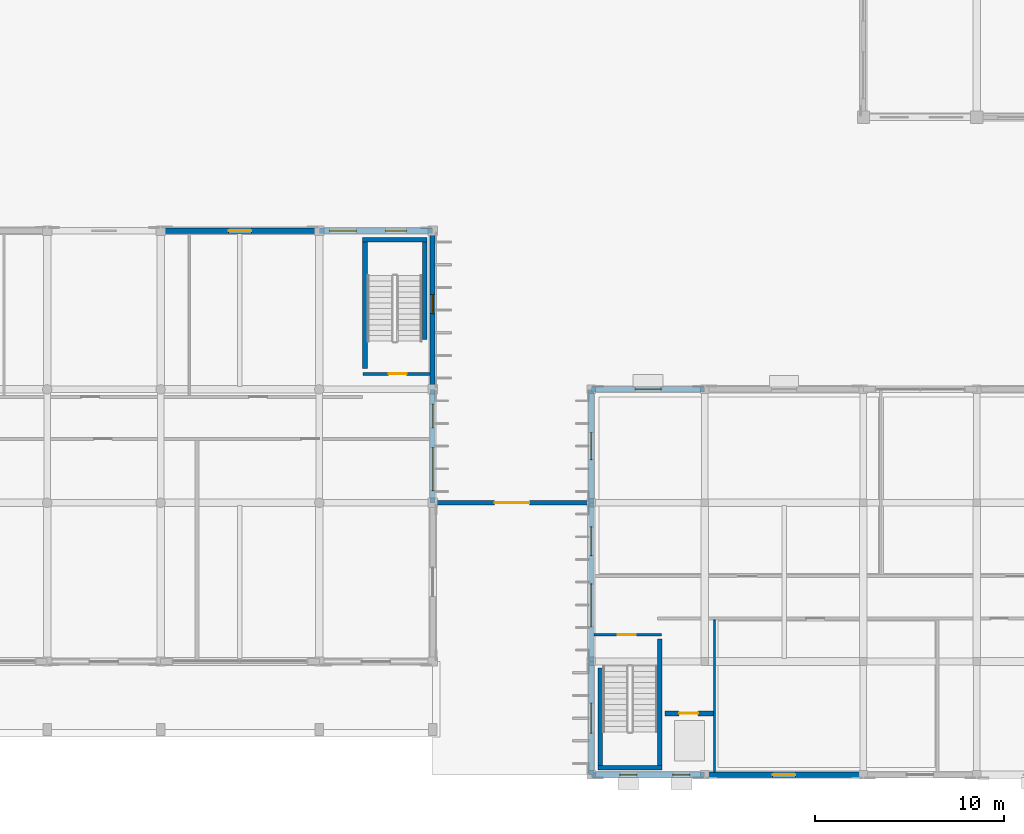
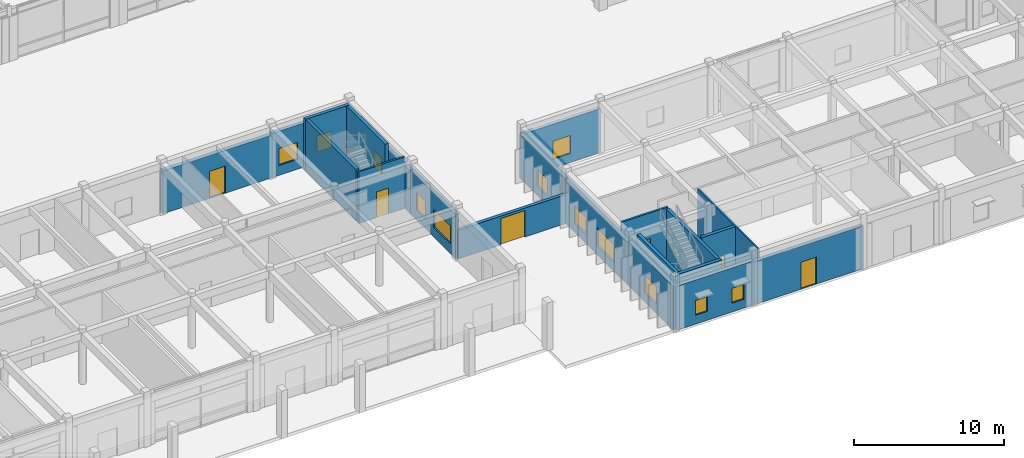
# One storey, part 32 of 67: 21 walls, 12 windows, 6 doors, 18 openings.
"""IFC4 building model written with IfcOpenShell, lengths in metres."""

from ifc_helpers import new_model, si_unit, direction, frame, frame_2d, origin, place, context, subcontext, project, spatial, rectangle, extrude, material, layer, layer_set, type_object, element, fill, save


model = new_model("IFC4")

# Units and contexts
model_context = context("Model", 3, precision=1e-05, world=origin(), true_north=direction((0.0, 1.0)))
body_context = subcontext(model_context, "Body", "Model", "MODEL_VIEW")
ifc_project = project(units=[si_unit("LENGTHUNIT", "METRE"), si_unit("AREAUNIT", "SQUARE_METRE"), si_unit("VOLUMEUNIT", "CUBIC_METRE"), si_unit("PLANEANGLEUNIT", "RADIAN"), si_unit("MASSUNIT", "GRAM", prefix="KILO"), si_unit("THERMODYNAMICTEMPERATUREUNIT", "KELVIN")], contexts=[model_context])

# Site, building, storey
site_placement = place(None, origin())
site = spatial("IfcSite", under=ifc_project, at=site_placement, CompositionType="ELEMENT")
building_placement = place(site_placement, origin())
building = spatial("IfcBuilding", under=site, at=building_placement, Name="Thalorik Housing Commons", CompositionType="ELEMENT")
storey_placement = place(building_placement, origin())
storey = spatial("IfcBuildingStorey", under=building, at=storey_placement, Name="L00", CompositionType="ELEMENT", Elevation=0.0)

# Walls
ifc_material_1 = material(Name="Concrete C40/50", Category="concrete")
ifc_layer_1 = layer(ifc_material_1, 0.25, Name="Concrete C40/50", Category="concrete")
ifc_layer_set_1 = layer_set([ifc_layer_1], Name="Concrete C40/50")
wall_type_1 = type_object("IfcWallType", Name="ARC-WAL-CORE-250", PredefinedType="SHEAR", material=ifc_layer_set_1)
wall_1_placement = place(storey_placement, frame((124.074951171875, 14.050048828125, 0.0), z_axis=(0.0, 0.0, 1.0), x_axis=(0.0, -1.0, 0.0)))
element("IfcWall", 1, at=wall_1_placement, inside=storey, type_object=wall_type_1, Name="L00 Stair ST-N1 Structural Support Wall L", PredefinedType="SHEAR", context=body_context, shape_type="SweptSolid", body=[
    extrude(rectangle(XDim=5.150146484375, YDim=0.25, at=frame_2d((2.5751953125, 0.0))), origin(), (0.0, 0.0, 1.0), 4.199951171875),
])
wall_2_placement = place(storey_placement, frame((127.22509765625, 15.60009765625, 0.0), z_axis=(0.0, 0.0, 1.0), x_axis=(0.0, -1.0, 0.0)))
element("IfcWall", 2, at=wall_2_placement, inside=storey, type_object=wall_type_1, Name="L00 Stair ST-N1 Structural Support Wall R", PredefinedType="SHEAR", context=body_context, shape_type="SweptSolid", body=[
    extrude(rectangle(XDim=6.7001953125, YDim=0.25, at=frame_2d((3.35009765625, 0.0))), origin(), (0.0, 0.0, 1.0), 4.199951171875),
])
wall_3_placement = place(storey_placement, frame((123.949951171875, 8.77490234375, 0.0), z_axis=(0.0, 0.0, 1.0), x_axis=(1.0, 0.0, 0.0)))
element("IfcWall", 3, at=wall_3_placement, inside=storey, type_object=wall_type_1, Name="L00 Stair ST-N1 Structural Support Wall F", PredefinedType="SHEAR", context=body_context, shape_type="SweptSolid", body=[
    extrude(rectangle(XDim=3.400146484375, YDim=0.25, at=frame_2d((1.7001953125, 0.0))), origin(), (0.0, 0.0, 1.0), 4.199951171875),
])
wall_4_placement = place(storey_placement, frame((114.77490234375, 31.449951171875, 0.0), z_axis=(0.0, 0.0, 1.0), x_axis=(0.0, 1.0, 0.0)))
element("IfcWall", 4, at=wall_4_placement, inside=storey, type_object=wall_type_1, Name="L00 Stair ST-S2 Structural Support Wall L", PredefinedType="SHEAR", context=body_context, shape_type="SweptSolid", body=[
    extrude(rectangle(XDim=5.150146484375, YDim=0.25, at=frame_2d((2.5751953125, 0.0))), origin(), (0.0, 0.0, 1.0), 4.199951171875),
])
wall_5_placement = place(storey_placement, frame((111.625, 29.89990234375, 0.0), z_axis=(0.0, 0.0, 1.0), x_axis=(0.0, 1.0, 0.0)))
element("IfcWall", 5, at=wall_5_placement, inside=storey, type_object=wall_type_1, Name="L00 Stair ST-S2 Structural Support Wall R", PredefinedType="SHEAR", context=body_context, shape_type="SweptSolid", body=[
    extrude(rectangle(XDim=6.7001953125, YDim=0.25, at=frame_2d((3.35009765625, 0.0))), origin(), (0.0, 0.0, 1.0), 4.199951171875),
])
wall_6_placement = place(storey_placement, frame((114.89990234375, 36.72509765625, 0.0), z_axis=(0.0, 0.0, 1.0), x_axis=(-1.0, 0.0, 0.0)))
element("IfcWall", 6, at=wall_6_placement, inside=storey, type_object=wall_type_1, Name="L00 Stair ST-S2 Structural Support Wall F", PredefinedType="SHEAR", context=body_context, shape_type="SweptSolid", body=[
    extrude(rectangle(XDim=3.39990234375, YDim=0.25, at=frame_2d((1.699951171875, 0.0))), origin(), (0.0, 0.0, 1.0), 4.199951171875),
])

# Wall, opening, door
wall_7_placement = place(storey_placement, frame((127.5, 11.64990234375, 0.0), z_axis=(0.0, 0.0, 1.0), x_axis=(1.0, 0.0, 0.0)))
wall_7 = element("IfcWall", 7, at=wall_7_placement, inside=storey, type_object=wall_type_1, Name="L00 Lift LP-N1 Front Wall", PredefinedType="SHEAR", context=body_context, shape_type="SweptSolid", body=[
    extrude(rectangle(XDim=2.568115234375, YDim=0.25, at=frame_2d((1.2841796875, 0.0))), origin(), (0.0, 0.0, 1.0), 4.199951171875),
])
opening_1_placement = place(wall_7_placement, frame((0.75, 0.0, 0.0)))
opening_1 = element("IfcOpeningElement", 8, at=opening_1_placement, cuts=wall_7, Name="Opening LD-LP-N1-L00", PredefinedType="OPENING", context=body_context, shape_type="SweptSolid", body=[
    extrude(rectangle(XDim=1.0, YDim=2.14990234375, at=frame_2d((0.5, 1.074951171875))), frame((0.0, 0.135009765625, 0.0), z_axis=(0.0, -1.0, 0.0), x_axis=(1.0, 0.0, 0.0)), (0.0, 0.0, 1.0), 0.27001953125),
])
ifc_material_2 = material(Name="Steel S355", Category="steel")
door_type_1 = type_object("IfcDoorType", Name="ARC-DR-LIFT-1000", OperationType="NOTDEFINED", PredefinedType="DOOR", material=ifc_material_2)
door_1_placement = place(opening_1_placement, origin())
door_1 = element("IfcDoor", 9, at=door_1_placement, inside=storey, type_object=door_type_1, Name="L00 Lift LP-N1 Landing Door", OperationType="SLIDING_TO_LEFT", OverallHeight=2.14990234375, OverallWidth=1.0, PredefinedType="DOOR", context=body_context, shape_type="SweptSolid", body=[
    extrude(rectangle(XDim=1.0, YDim=2.14990234375, at=frame_2d((0.5, 1.074951171875))), frame((0.0, 0.02490234375, 0.0), z_axis=(0.0, -1.0, 0.0), x_axis=(1.0, 0.0, 0.0)), (0.0, 0.0, 1.0), 0.050048828125),
])
fill(opening_1, door_1)

ifc_material_3 = material(Name="White precast concrete C40/50", Category="concrete")
ifc_layer_2 = layer(ifc_material_3, 0.2451171875, Name="White precast concrete C40/50", Category="concrete")
ifc_layer_set_2 = layer_set([ifc_layer_2], Name="White precast concrete C40/50")
wall_type_2 = type_object("IfcWallType", Name="ARC-WAL-EXT-245", PredefinedType="STANDARD", material=ifc_layer_set_2)
wall_8_placement = place(storey_placement, frame((115.199951171875, 22.800048828125, 0.0), z_axis=(0.0, 0.0, 1.0), x_axis=(1.0, 0.0, 0.0)))
wall_8 = element("IfcWall", 10, at=wall_8_placement, inside=storey, type_object=wall_type_2, Name="L00 Exterior Wall WAL-L00-CGATE-03", PredefinedType="STANDARD", context=body_context, shape_type="SweptSolid", body=[
    extrude(rectangle(XDim=8.400146484375, YDim=0.2451171875, at=frame_2d((4.2001953125, 0.0))), origin(), (0.0, 0.0, 1.0), 2.35009765625),
])
opening_2_placement = place(wall_8_placement, frame((3.27490234375, 0.0, 0.0)))
opening_2 = element("IfcOpeningElement", 11, at=opening_2_placement, cuts=wall_8, Name="Opening ED-0457", PredefinedType="OPENING", context=body_context, shape_type="SweptSolid", body=[
    extrude(rectangle(XDim=1.85009765625, YDim=2.14990234375, at=frame_2d((0.925048828125, 1.074951171875))), frame((0.0, 0.132568359375, 0.0), z_axis=(0.0, -1.0, 0.0), x_axis=(1.0, 0.0, 0.0)), (0.0, 0.0, 1.0), 0.26513671875),
])
door_type_2 = type_object("IfcDoorType", Name="ARC-GT-COURT-1850", OperationType="NOTDEFINED", PredefinedType="GATE", material=ifc_material_2)
door_2_placement = place(opening_2_placement, frame((1.85009765625, 0.0, 0.0), z_axis=(0.0, 0.0, 1.0), x_axis=(-1.0, 0.0, 0.0)))
door_2 = element("IfcDoor", 12, at=door_2_placement, inside=storey, type_object=door_type_2, Name="L00 Courtyard Access Gate 3", OperationType="DOUBLE_DOOR_SINGLE_SWING", OverallHeight=2.14990234375, OverallWidth=1.85009765625, PredefinedType="GATE", context=body_context, shape_type="SweptSolid", body=[
    extrude(rectangle(XDim=1.85009765625, YDim=2.14990234375, at=frame_2d((0.925048828125, 1.074951171875))), frame((0.0, 0.02490234375, 0.0), z_axis=(0.0, -1.0, 0.0), x_axis=(1.0, 0.0, 0.0)), (0.0, 0.0, 1.0), 0.050048828125),
])
fill(opening_2, door_2)

# Wall, openings, windows
ifc_layer_3 = layer(ifc_material_3, 0.27490234375, Name="White precast concrete C40/50", Category="concrete")
ifc_layer_set_3 = layer_set([ifc_layer_3], Name="White precast concrete C40/50")
wall_type_3 = type_object("IfcWallType", Name="ARC-WAL-EXT-275", PredefinedType="STANDARD", material=ifc_layer_set_3)
wall_9_placement = place(storey_placement, frame((115.199951171875, 22.800048828125, 0.0), z_axis=(0.0, 0.0, 1.0), x_axis=(0.0, 1.0, 0.0)))
wall_9 = element("IfcWall", 13, at=wall_9_placement, inside=storey, type_object=wall_type_3, Name="L00 Exterior Wall WAL-SHOP-L00-1367", PredefinedType="STANDARD", context=body_context, shape_type="SweptSolid", body=[
    extrude(rectangle(XDim=6.0, YDim=0.27490234375, at=frame_2d((3.0, 0.0))), origin(), (0.0, 0.0, 1.0), 3.5849609375),
])
opening_3_placement = place(wall_9_placement, frame((0.64501953125, 0.0, 0.800048828125)))
opening_3 = element("IfcOpeningElement", 14, at=opening_3_placement, cuts=wall_9, Name="Opening W-67", PredefinedType="OPENING", context=body_context, shape_type="SweptSolid", body=[
    extrude(rectangle(XDim=2.280029296875, YDim=1.4599609375, at=frame_2d((1.14013671875, 0.72998046875))), frame((0.0, 0.1474609375, 0.0), z_axis=(0.0, -1.0, 0.0), x_axis=(1.0, 0.0, 0.0)), (0.0, 0.0, 1.0), 0.294921875),
])
opening_4_placement = place(wall_9_placement, frame((3.969970703125, 0.0, 0.800048828125)))
opening_4 = element("IfcOpeningElement", 15, at=opening_4_placement, cuts=wall_9, Name="Opening W-47", PredefinedType="OPENING", context=body_context, shape_type="SweptSolid", body=[
    extrude(rectangle(XDim=1.25, YDim=1.449951171875, at=frame_2d((0.625, 0.72509765625))), frame((0.0, 0.1474609375, 0.0), z_axis=(0.0, -1.0, 0.0), x_axis=(1.0, 0.0, 0.0)), (0.0, 0.0, 1.0), 0.294921875),
])
ifc_material_4 = material(Name="Anodised aluminium and solar-control low-E glass", Category="aluminium")
window_type_1 = type_object("IfcWindowType", Name="ARC-WIN-47", PartitioningType="SINGLE_PANEL", PredefinedType="WINDOW", material=ifc_material_4)
window_1_placement = place(opening_4_placement, origin())
window_1 = element("IfcWindow", 16, at=window_1_placement, inside=storey, type_object=window_type_1, Name="L00 Facade Window 2401", OverallHeight=1.449951171875, OverallWidth=1.25, PartitioningType="SINGLE_PANEL", PredefinedType="WINDOW", context=body_context, shape_type="SweptSolid", body=[
    extrude(rectangle(XDim=1.25, YDim=1.449951171875, at=frame_2d((0.625, 0.72509765625))), frame((0.0, 0.030029296875, 0.0), z_axis=(0.0, -1.0, 0.0), x_axis=(1.0, 0.0, 0.0)), (0.0, 0.0, 1.0), 0.06005859375),
])
fill(opening_4, window_1)
window_type_2 = type_object("IfcWindowType", Name="ARC-WIN-67", PartitioningType="DOUBLE_PANEL_VERTICAL", PredefinedType="WINDOW", material=ifc_material_4)
window_2_placement = place(opening_3_placement, origin())
window_2 = element("IfcWindow", 17, at=window_2_placement, inside=storey, type_object=window_type_2, Name="L00 Facade Window 2400", OverallHeight=1.4599609375, OverallWidth=2.280029296875, PartitioningType="DOUBLE_PANEL_VERTICAL", PredefinedType="WINDOW", context=body_context, shape_type="SweptSolid", body=[
    extrude(rectangle(XDim=2.280029296875, YDim=1.4599609375, at=frame_2d((1.14013671875, 0.72998046875))), frame((0.0, 0.030029296875, 0.0), z_axis=(0.0, -1.0, 0.0), x_axis=(1.0, 0.0, 0.0)), (0.0, 0.0, 1.0), 0.06005859375),
])
fill(opening_3, window_2)

# Wall, opening, window
wall_10_placement = place(storey_placement, frame((115.199951171875, 28.800048828125, 0.0), z_axis=(0.0, 0.0, 1.0), x_axis=(0.0, 1.0, 0.0)))
wall_10 = element("IfcWall", 18, at=wall_10_placement, inside=storey, type_object=wall_type_3, Name="L00 Exterior Wall WAL-SHOP-L00-1368", PredefinedType="STANDARD", context=body_context, shape_type="SweptSolid", body=[
    extrude(rectangle(XDim=8.39990234375, YDim=0.27490234375, at=frame_2d((4.199951171875, 0.0))), origin(), (0.0, 0.0, 1.0), 3.485107421875),
])
opening_5_placement = place(wall_10_placement, frame((4.014892578125, 0.0, 0.800048828125)))
opening_5 = element("IfcOpeningElement", 19, at=opening_5_placement, cuts=wall_10, Name="Opening W-02", PredefinedType="OPENING", context=body_context, shape_type="SweptSolid", body=[
    extrude(rectangle(XDim=1.0, YDim=1.25, at=frame_2d((0.5, 0.625))), frame((0.0, 0.1474609375, 0.0), z_axis=(0.0, -1.0, 0.0), x_axis=(1.0, 0.0, 0.0)), (0.0, 0.0, 1.0), 0.294921875),
])
window_type_3 = type_object("IfcWindowType", Name="ARC-WIN-02", PartitioningType="SINGLE_PANEL", PredefinedType="WINDOW", material=ifc_material_4)
window_3_placement = place(opening_5_placement, origin())
window_3 = element("IfcWindow", 20, at=window_3_placement, inside=storey, type_object=window_type_3, Name="L00 Facade Window 2402", OverallHeight=1.25, OverallWidth=1.0, PartitioningType="SINGLE_PANEL", PredefinedType="WINDOW", context=body_context, shape_type="SweptSolid", body=[
    extrude(rectangle(XDim=1.0, YDim=1.25, at=frame_2d((0.5, 0.625))), frame((0.0, 0.030029296875, 0.0), z_axis=(0.0, -1.0, 0.0), x_axis=(1.0, 0.0, 0.0)), (0.0, 0.0, 1.0), 0.06005859375),
])
fill(opening_5, window_3)

# Wall, openings, windows
wall_11_placement = place(storey_placement, frame((115.199951171875, 37.199951171875, 0.0), z_axis=(0.0, 0.0, 1.0), x_axis=(-1.0, 0.0, 0.0)))
wall_11 = element("IfcWall", 21, at=wall_11_placement, inside=storey, type_object=wall_type_3, Name="L00 Exterior Wall WAL-SHOP-L00-1369", PredefinedType="STANDARD", context=body_context, shape_type="SweptSolid", body=[
    extrude(rectangle(XDim=6.0, YDim=0.27490234375, at=frame_2d((3.0, 0.0))), origin(), (0.0, 0.0, 1.0), 3.5849609375),
])
opening_6_placement = place(wall_11_placement, frame((1.385009765625, 0.0, 0.800048828125)))
opening_6 = element("IfcOpeningElement", 22, at=opening_6_placement, cuts=wall_11, Name="Opening W-03", PredefinedType="OPENING", context=body_context, shape_type="SweptSolid", body=[
    extrude(rectangle(XDim=1.10009765625, YDim=1.300048828125, at=frame_2d((0.550048828125, 0.64990234375))), frame((0.0, 0.1474609375, 0.0), z_axis=(0.0, -1.0, 0.0), x_axis=(1.0, 0.0, 0.0)), (0.0, 0.0, 1.0), 0.294921875),
])
opening_7_placement = place(wall_11_placement, frame((4.034912109375, 0.0, 0.800048828125)))
opening_7 = element("IfcOpeningElement", 23, at=opening_7_placement, cuts=wall_11, Name="Opening W-50", PredefinedType="OPENING", context=body_context, shape_type="SweptSolid", body=[
    extrude(rectangle(XDim=1.419921875, YDim=1.3798828125, at=frame_2d((0.7099609375, 0.68994140625))), frame((0.0, 0.1474609375, 0.0), z_axis=(0.0, -1.0, 0.0), x_axis=(1.0, 0.0, 0.0)), (0.0, 0.0, 1.0), 0.294921875),
])
window_type_4 = type_object("IfcWindowType", Name="ARC-WIN-03", PartitioningType="SINGLE_PANEL", PredefinedType="WINDOW", material=ifc_material_4)
window_4_placement = place(opening_6_placement, origin())
window_4 = element("IfcWindow", 24, at=window_4_placement, inside=storey, type_object=window_type_4, Name="L00 Facade Window 2403", OverallHeight=1.300048828125, OverallWidth=1.10009765625, PartitioningType="SINGLE_PANEL", PredefinedType="WINDOW", context=body_context, shape_type="SweptSolid", body=[
    extrude(rectangle(XDim=1.10009765625, YDim=1.300048828125, at=frame_2d((0.550048828125, 0.64990234375))), frame((0.0, 0.030029296875, 0.0), z_axis=(0.0, -1.0, 0.0), x_axis=(1.0, 0.0, 0.0)), (0.0, 0.0, 1.0), 0.06005859375),
])
fill(opening_6, window_4)
window_type_5 = type_object("IfcWindowType", Name="ARC-WIN-50", PartitioningType="SINGLE_PANEL", PredefinedType="WINDOW", material=ifc_material_4)
window_5_placement = place(opening_7_placement, origin())
window_5 = element("IfcWindow", 25, at=window_5_placement, inside=storey, type_object=window_type_5, Name="L00 Facade Window 2404", OverallHeight=1.3798828125, OverallWidth=1.419921875, PartitioningType="SINGLE_PANEL", PredefinedType="WINDOW", context=body_context, shape_type="SweptSolid", body=[
    extrude(rectangle(XDim=1.419921875, YDim=1.3798828125, at=frame_2d((0.7099609375, 0.68994140625))), frame((0.0, 0.030029296875, 0.0), z_axis=(0.0, -1.0, 0.0), x_axis=(1.0, 0.0, 0.0)), (0.0, 0.0, 1.0), 0.06005859375),
])
fill(opening_7, window_5)

ifc_layer_4 = layer(ifc_material_3, 0.2900390625, Name="White precast concrete C40/50", Category="concrete")
ifc_layer_set_4 = layer_set([ifc_layer_4], Name="White precast concrete C40/50")
wall_type_4 = type_object("IfcWallType", Name="ARC-WAL-EXT-290", PredefinedType="STANDARD", material=ifc_layer_set_4)
wall_12_placement = place(storey_placement, frame((123.60009765625, 8.39990234375, 0.0), z_axis=(0.0, 0.0, 1.0), x_axis=(1.0, 0.0, 0.0)))
wall_12 = element("IfcWall", 26, at=wall_12_placement, inside=storey, type_object=wall_type_4, Name="L00 Exterior Wall WAL-NURS-L00-1323", PredefinedType="STANDARD", context=body_context, shape_type="SweptSolid", body=[
    extrude(rectangle(XDim=6.0, YDim=0.2900390625, at=frame_2d((3.0, 0.0))), origin(), (0.0, 0.0, 1.0), 3.5849609375),
])
opening_8_placement = place(wall_12_placement, frame((1.5048828125, 0.0, 0.719970703125)))
opening_8 = element("IfcOpeningElement", 27, at=opening_8_placement, cuts=wall_12, Name="Opening W-01", PredefinedType="OPENING", context=body_context, shape_type="SweptSolid", body=[
    extrude(rectangle(XDim=0.89990234375, YDim=1.199951171875, at=frame_2d((0.449951171875, 0.60009765625))), frame((0.0, 0.155029296875, 0.0), z_axis=(0.0, -1.0, 0.0), x_axis=(1.0, 0.0, 0.0)), (0.0, 0.0, 1.0), 0.31005859375),
])
opening_9_placement = place(wall_12_placement, frame((4.31494140625, 0.0, 0.719970703125)))
opening_9 = element("IfcOpeningElement", 28, at=opening_9_placement, cuts=wall_12, Name="Opening W-01", PredefinedType="OPENING", context=body_context, shape_type="SweptSolid", body=[
    extrude(rectangle(XDim=0.89990234375, YDim=1.199951171875, at=frame_2d((0.449951171875, 0.60009765625))), frame((0.0, 0.155029296875, 0.0), z_axis=(0.0, -1.0, 0.0), x_axis=(1.0, 0.0, 0.0)), (0.0, 0.0, 1.0), 0.31005859375),
])
window_type_6 = type_object("IfcWindowType", Name="ARC-WIN-01", PartitioningType="SINGLE_PANEL", PredefinedType="WINDOW", material=ifc_material_4)
window_6_placement = place(opening_8_placement, origin())
window_6 = element("IfcWindow", 29, at=window_6_placement, inside=storey, type_object=window_type_6, Name="L00 Facade Window 2360", OverallHeight=1.199951171875, OverallWidth=0.89990234375, PartitioningType="SINGLE_PANEL", PredefinedType="WINDOW", context=body_context, shape_type="SweptSolid", body=[
    extrude(rectangle(XDim=0.89990234375, YDim=1.199951171875, at=frame_2d((0.449951171875, 0.60009765625))), frame((0.0, 0.030029296875, 0.0), z_axis=(0.0, -1.0, 0.0), x_axis=(1.0, 0.0, 0.0)), (0.0, 0.0, 1.0), 0.06005859375),
])
fill(opening_8, window_6)
window_7_placement = place(opening_9_placement, origin())
window_7 = element("IfcWindow", 30, at=window_7_placement, inside=storey, type_object=window_type_6, Name="L00 Facade Window 2361", OverallHeight=1.199951171875, OverallWidth=0.89990234375, PartitioningType="SINGLE_PANEL", PredefinedType="WINDOW", context=body_context, shape_type="SweptSolid", body=[
    extrude(rectangle(XDim=0.89990234375, YDim=1.199951171875, at=frame_2d((0.449951171875, 0.60009765625))), frame((0.0, 0.030029296875, 0.0), z_axis=(0.0, -1.0, 0.0), x_axis=(1.0, 0.0, 0.0)), (0.0, 0.0, 1.0), 0.06005859375),
])
fill(opening_9, window_7)

# Wall, opening, door
wall_13_placement = place(storey_placement, frame((129.60009765625, 8.39990234375, 0.0), z_axis=(0.0, 0.0, 1.0), x_axis=(1.0, 0.0, 0.0)))
wall_13 = element("IfcWall", 31, at=wall_13_placement, inside=storey, type_object=wall_type_4, Name="L00 Exterior Wall WAL-NURS-L00-1324", PredefinedType="STANDARD", context=body_context, shape_type="SweptSolid", body=[
    extrude(rectangle(XDim=8.39990234375, YDim=0.2900390625, at=frame_2d((4.199951171875, 0.0))), origin(), (0.0, 0.0, 1.0), 3.485107421875),
])
opening_10_placement = place(wall_13_placement, frame((3.60009765625, 0.0, 0.0)))
opening_10 = element("IfcOpeningElement", 32, at=opening_10_placement, cuts=wall_13, Name="Opening ED-0442", PredefinedType="OPENING", context=body_context, shape_type="SweptSolid", body=[
    extrude(rectangle(XDim=1.199951171875, YDim=2.199951171875, at=frame_2d((0.60009765625, 1.10009765625))), frame((0.0, 0.155029296875, 0.0), z_axis=(0.0, -1.0, 0.0), x_axis=(1.0, 0.0, 0.0)), (0.0, 0.0, 1.0), 0.31005859375),
])
ifc_material_5 = material(Name="Anodised aluminium and laminated safety glass", Category="aluminium")
door_type_3 = type_object("IfcDoorType", Name="ARC-DR-EXT-EXIT-1200", OperationType="NOTDEFINED", PredefinedType="DOOR", material=ifc_material_5)
door_3_placement = place(opening_10_placement, frame((1.199951171875, 0.0, 0.0), z_axis=(0.0, 0.0, 1.0), x_axis=(-1.0, 0.0, 0.0)))
door_3 = element("IfcDoor", 33, at=door_3_placement, inside=storey, type_object=door_type_3, Name="L00 Nursery Exit Door 2", OperationType="SINGLE_SWING_LEFT", OverallHeight=2.199951171875, OverallWidth=1.199951171875, PredefinedType="DOOR", context=body_context, shape_type="SweptSolid", body=[
    extrude(rectangle(XDim=1.199951171875, YDim=2.199951171875, at=frame_2d((0.60009765625, 1.10009765625))), frame((0.0, 0.02490234375, 0.0), z_axis=(0.0, -1.0, 0.0), x_axis=(1.0, 0.0, 0.0)), (0.0, 0.0, 1.0), 0.050048828125),
])
fill(opening_10, door_3)

# Wall, opening, window
wall_14_placement = place(storey_placement, frame((129.60009765625, 28.800048828125, 0.0), z_axis=(0.0, 0.0, 1.0), x_axis=(-1.0, 0.0, 0.0)))
wall_14 = element("IfcWall", 34, at=wall_14_placement, inside=storey, type_object=wall_type_4, Name="L00 Exterior Wall WAL-NURS-L00-1337", PredefinedType="STANDARD", context=body_context, shape_type="SweptSolid", body=[
    extrude(rectangle(XDim=6.0, YDim=0.2900390625, at=frame_2d((3.0, 0.0))), origin(), (0.0, 0.0, 1.0), 3.5849609375),
])
opening_11_placement = place(wall_14_placement, frame((2.31005859375, 0.0, 0.719970703125)))
opening_11 = element("IfcOpeningElement", 35, at=opening_11_placement, cuts=wall_14, Name="Opening W-49", PredefinedType="OPENING", context=body_context, shape_type="SweptSolid", body=[
    extrude(rectangle(XDim=1.3798828125, YDim=1.47998046875, at=frame_2d((0.68994140625, 0.739990234375))), frame((0.0, 0.155029296875, 0.0), z_axis=(0.0, -1.0, 0.0), x_axis=(1.0, 0.0, 0.0)), (0.0, 0.0, 1.0), 0.31005859375),
])
window_type_7 = type_object("IfcWindowType", Name="ARC-WIN-49", PartitioningType="SINGLE_PANEL", PredefinedType="WINDOW", material=ifc_material_4)
window_8_placement = place(opening_11_placement, origin())
window_8 = element("IfcWindow", 36, at=window_8_placement, inside=storey, type_object=window_type_7, Name="L00 Facade Window 2374", OverallHeight=1.47998046875, OverallWidth=1.3798828125, PartitioningType="SINGLE_PANEL", PredefinedType="WINDOW", context=body_context, shape_type="SweptSolid", body=[
    extrude(rectangle(XDim=1.3798828125, YDim=1.47998046875, at=frame_2d((0.68994140625, 0.739990234375))), frame((0.0, 0.030029296875, 0.0), z_axis=(0.0, -1.0, 0.0), x_axis=(1.0, 0.0, 0.0)), (0.0, 0.0, 1.0), 0.06005859375),
])
fill(opening_11, window_8)

wall_15_placement = place(storey_placement, frame((123.60009765625, 28.800048828125, 0.0), z_axis=(0.0, 0.0, 1.0), x_axis=(0.0, -1.0, 0.0)))
wall_15 = element("IfcWall", 37, at=wall_15_placement, inside=storey, type_object=wall_type_4, Name="L00 Exterior Wall WAL-NURS-L00-1338", PredefinedType="STANDARD", context=body_context, shape_type="SweptSolid", body=[
    extrude(rectangle(XDim=6.0, YDim=0.2900390625, at=frame_2d((3.0, 0.0))), origin(), (0.0, 0.0, 1.0), 3.5849609375),
])
opening_12_placement = place(wall_15_placement, frame((2.2900390625, 0.0, 0.719970703125)))
opening_12 = element("IfcOpeningElement", 38, at=opening_12_placement, cuts=wall_15, Name="Opening W-50", PredefinedType="OPENING", context=body_context, shape_type="SweptSolid", body=[
    extrude(rectangle(XDim=1.419921875, YDim=1.3798828125, at=frame_2d((0.7099609375, 0.68994140625))), frame((0.0, 0.155029296875, 0.0), z_axis=(0.0, -1.0, 0.0), x_axis=(1.0, 0.0, 0.0)), (0.0, 0.0, 1.0), 0.31005859375),
])
window_9_placement = place(opening_12_placement, origin())
window_9 = element("IfcWindow", 39, at=window_9_placement, inside=storey, type_object=window_type_5, Name="L00 Facade Window 2375", OverallHeight=1.3798828125, OverallWidth=1.419921875, PartitioningType="SINGLE_PANEL", PredefinedType="WINDOW", context=body_context, shape_type="SweptSolid", body=[
    extrude(rectangle(XDim=1.419921875, YDim=1.3798828125, at=frame_2d((0.7099609375, 0.68994140625))), frame((0.0, 0.030029296875, 0.0), z_axis=(0.0, -1.0, 0.0), x_axis=(1.0, 0.0, 0.0)), (0.0, 0.0, 1.0), 0.06005859375),
])
fill(opening_12, window_9)

# Wall, openings, windows
wall_16_placement = place(storey_placement, frame((123.60009765625, 22.800048828125, 0.0), z_axis=(0.0, 0.0, 1.0), x_axis=(0.0, -1.0, 0.0)))
wall_16 = element("IfcWall", 40, at=wall_16_placement, inside=storey, type_object=wall_type_4, Name="L00 Exterior Wall WAL-NURS-L00-1339", PredefinedType="STANDARD", context=body_context, shape_type="SweptSolid", body=[
    extrude(rectangle(XDim=8.400146484375, YDim=0.2900390625, at=frame_2d((4.2001953125, 0.0))), origin(), (0.0, 0.0, 1.0), 3.485107421875),
])
opening_13_placement = place(wall_16_placement, frame((1.27490234375, 0.0, 0.719970703125)))
opening_13 = element("IfcOpeningElement", 41, at=opening_13_placement, cuts=wall_16, Name="Opening W-52", PredefinedType="OPENING", context=body_context, shape_type="SweptSolid", body=[
    extrude(rectangle(XDim=1.52001953125, YDim=1.419921875, at=frame_2d((0.760009765625, 0.7099609375))), frame((0.0, 0.155029296875, 0.0), z_axis=(0.0, -1.0, 0.0), x_axis=(1.0, 0.0, 0.0)), (0.0, 0.0, 1.0), 0.31005859375),
])
opening_14_placement = place(wall_16_placement, frame((4.2900390625, 0.0, 0.719970703125)))
opening_14 = element("IfcOpeningElement", 42, at=opening_14_placement, cuts=wall_16, Name="Opening W-67", PredefinedType="OPENING", context=body_context, shape_type="SweptSolid", body=[
    extrude(rectangle(XDim=2.280029296875, YDim=1.4599609375, at=frame_2d((1.14013671875, 0.72998046875))), frame((0.0, 0.155029296875, 0.0), z_axis=(0.0, -1.0, 0.0), x_axis=(1.0, 0.0, 0.0)), (0.0, 0.0, 1.0), 0.31005859375),
])
window_type_8 = type_object("IfcWindowType", Name="ARC-WIN-52", PartitioningType="SINGLE_PANEL", PredefinedType="WINDOW", material=ifc_material_4)
window_10_placement = place(opening_13_placement, origin())
window_10 = element("IfcWindow", 43, at=window_10_placement, inside=storey, type_object=window_type_8, Name="L00 Facade Window 2376", OverallHeight=1.419921875, OverallWidth=1.52001953125, PartitioningType="SINGLE_PANEL", PredefinedType="WINDOW", context=body_context, shape_type="SweptSolid", body=[
    extrude(rectangle(XDim=1.52001953125, YDim=1.419921875, at=frame_2d((0.760009765625, 0.7099609375))), frame((0.0, 0.030029296875, 0.0), z_axis=(0.0, -1.0, 0.0), x_axis=(1.0, 0.0, 0.0)), (0.0, 0.0, 1.0), 0.06005859375),
])
fill(opening_13, window_10)
window_11_placement = place(opening_14_placement, origin())
window_11 = element("IfcWindow", 44, at=window_11_placement, inside=storey, type_object=window_type_2, Name="L00 Facade Window 2377", OverallHeight=1.4599609375, OverallWidth=2.280029296875, PartitioningType="DOUBLE_PANEL_VERTICAL", PredefinedType="WINDOW", context=body_context, shape_type="SweptSolid", body=[
    extrude(rectangle(XDim=2.280029296875, YDim=1.4599609375, at=frame_2d((1.14013671875, 0.72998046875))), frame((0.0, 0.030029296875, 0.0), z_axis=(0.0, -1.0, 0.0), x_axis=(1.0, 0.0, 0.0)), (0.0, 0.0, 1.0), 0.06005859375),
])
fill(opening_14, window_11)

# Wall, opening, window
wall_17_placement = place(storey_placement, frame((123.60009765625, 14.39990234375, 0.0), z_axis=(0.0, 0.0, 1.0), x_axis=(0.0, -1.0, 0.0)))
wall_17 = element("IfcWall", 45, at=wall_17_placement, inside=storey, type_object=wall_type_4, Name="L00 Exterior Wall WAL-NURS-L00-1340", PredefinedType="STANDARD", context=body_context, shape_type="SweptSolid", body=[
    extrude(rectangle(XDim=6.0, YDim=0.2900390625, at=frame_2d((3.0, 0.0))), origin(), (0.0, 0.0, 1.0), 3.5849609375),
])
opening_15_placement = place(wall_17_placement, frame((2.2099609375, 0.0, 0.719970703125)))
opening_15 = element("IfcOpeningElement", 46, at=opening_15_placement, cuts=wall_17, Name="Opening W-53", PredefinedType="OPENING", context=body_context, shape_type="SweptSolid", body=[
    extrude(rectangle(XDim=1.580078125, YDim=1.47998046875, at=frame_2d((0.7900390625, 0.739990234375))), frame((0.0, 0.155029296875, 0.0), z_axis=(0.0, -1.0, 0.0), x_axis=(1.0, 0.0, 0.0)), (0.0, 0.0, 1.0), 0.31005859375),
])
window_type_9 = type_object("IfcWindowType", Name="ARC-WIN-53", PartitioningType="SINGLE_PANEL", PredefinedType="WINDOW", material=ifc_material_4)
window_12_placement = place(opening_15_placement, origin())
window_12 = element("IfcWindow", 47, at=window_12_placement, inside=storey, type_object=window_type_9, Name="L00 Facade Window 2378", OverallHeight=1.47998046875, OverallWidth=1.580078125, PartitioningType="SINGLE_PANEL", PredefinedType="WINDOW", context=body_context, shape_type="SweptSolid", body=[
    extrude(rectangle(XDim=1.580078125, YDim=1.47998046875, at=frame_2d((0.7900390625, 0.739990234375))), frame((0.0, 0.030029296875, 0.0), z_axis=(0.0, -1.0, 0.0), x_axis=(1.0, 0.0, 0.0)), (0.0, 0.0, 1.0), 0.06005859375),
])
fill(opening_15, window_12)

# Wall, opening, door
ifc_layer_5 = layer(ifc_material_3, 0.304931640625, Name="White precast concrete C40/50", Category="concrete")
ifc_layer_set_5 = layer_set([ifc_layer_5], Name="White precast concrete C40/50")
wall_type_5 = type_object("IfcWallType", Name="ARC-WAL-EXT-305", PredefinedType="STANDARD", material=ifc_layer_set_5)
wall_18_placement = place(storey_placement, frame((109.199951171875, 37.199951171875, 0.0), z_axis=(0.0, 0.0, 1.0), x_axis=(-1.0, 0.0, 0.0)))
wall_18 = element("IfcWall", 48, at=wall_18_placement, inside=storey, type_object=wall_type_5, Name="L00 Exterior Wall WAL-SHOP-L00-1370", PredefinedType="STANDARD", context=body_context, shape_type="SweptSolid", body=[
    extrude(rectangle(XDim=8.39990234375, YDim=0.304931640625, at=frame_2d((4.199951171875, 0.0))), origin(), (0.0, 0.0, 1.0), 3.485107421875),
])
opening_16_placement = place(wall_18_placement, frame((3.60009765625, 0.0, 0.0)))
opening_16 = element("IfcOpeningElement", 49, at=opening_16_placement, cuts=wall_18, Name="Opening ED-0450", PredefinedType="OPENING", context=body_context, shape_type="SweptSolid", body=[
    extrude(rectangle(XDim=1.199951171875, YDim=2.199951171875, at=frame_2d((0.60009765625, 1.10009765625))), frame((0.0, 0.16259765625, 0.0), z_axis=(0.0, -1.0, 0.0), x_axis=(1.0, 0.0, 0.0)), (0.0, 0.0, 1.0), 0.324951171875),
])
door_4_placement = place(opening_16_placement, frame((1.199951171875, 0.0, 0.0), z_axis=(0.0, 0.0, 1.0), x_axis=(-1.0, 0.0, 0.0)))
door_4 = element("IfcDoor", 50, at=door_4_placement, inside=storey, type_object=door_type_3, Name="L00 Shops North Exit 2", OperationType="SINGLE_SWING_LEFT", OverallHeight=2.199951171875, OverallWidth=1.199951171875, PredefinedType="DOOR", context=body_context, shape_type="SweptSolid", body=[
    extrude(rectangle(XDim=1.199951171875, YDim=2.199951171875, at=frame_2d((0.60009765625, 1.10009765625))), frame((0.0, 0.02490234375, 0.0), z_axis=(0.0, -1.0, 0.0), x_axis=(1.0, 0.0, 0.0)), (0.0, 0.0, 1.0), 0.050048828125),
])
fill(opening_16, door_4)

# Wall
ifc_material_6 = material(Name="Gypsum light stud partition", Category="masonry")
ifc_layer_6 = layer(ifc_material_6, 0.10009765625, Name="Gypsum light stud partition", Category="masonry")
ifc_layer_set_6 = layer_set([ifc_layer_6], Name="Gypsum light stud partition")
wall_type_6 = type_object("IfcWallType", Name="ARC-WAL-PART-100", PredefinedType="PARTITIONING", material=ifc_layer_set_6)
wall_19_placement = place(storey_placement, frame((130.1201171875, 8.547119140625, 0.0), z_axis=(0.0, 0.0, 1.0), x_axis=(0.0, 1.0, 0.0)))
element("IfcWall", 51, at=wall_19_placement, inside=storey, type_object=wall_type_6, Name="L00 Nursery South Room Divider", PredefinedType="PARTITIONING", context=body_context, shape_type="SweptSolid", body=[
    extrude(rectangle(XDim=8.055908203125, YDim=0.10009765625, at=frame_2d((4.02783203125, 0.0))), origin(), (0.0, 0.0, 1.0), 4.199951171875),
])

# Wall, opening, door
ifc_material_7 = material(Name="Ceramic masonry partition wall", Category="masonry")
ifc_layer_7 = layer(ifc_material_7, 0.14794921875, Name="Ceramic masonry partition wall", Category="masonry")
ifc_layer_set_7 = layer_set([ifc_layer_7], Name="Ceramic masonry partition wall")
wall_type_7 = type_object("IfcWallType", Name="ARC-WAL-PART-150", PredefinedType="PARTITIONING", material=ifc_layer_set_7)
wall_20_placement = place(storey_placement, frame((123.7470703125, 15.820068359375, 0.0), z_axis=(0.0, 0.0, 1.0), x_axis=(1.0, 0.0, 0.0)))
wall_20 = element("IfcWall", 52, at=wall_20_placement, inside=storey, type_object=wall_type_7, Name="L00 Nursery West Stair North Wall", PredefinedType="PARTITIONING", context=body_context, shape_type="SweptSolid", body=[
    extrude(rectangle(XDim=3.572998046875, YDim=0.14794921875, at=frame_2d((1.78662109375, 0.0))), origin(), (0.0, 0.0, 1.0), 4.199951171875),
])
opening_17_placement = place(wall_20_placement, frame((1.262939453125, 0.0, 0.0)))
opening_17 = element("IfcOpeningElement", 53, at=opening_17_placement, cuts=wall_20, Name="Opening ID-2199", PredefinedType="OPENING", context=body_context, shape_type="SweptSolid", body=[
    extrude(rectangle(XDim=0.949951171875, YDim=2.10009765625, at=frame_2d((0.47509765625, 1.050048828125))), frame((0.0, 0.083984375, 0.0), z_axis=(0.0, -1.0, 0.0), x_axis=(1.0, 0.0, 0.0)), (0.0, 0.0, 1.0), 0.16796875),
])
door_type_4 = type_object("IfcDoorType", Name="ARC-DR-FD60-950", OperationType="NOTDEFINED", PredefinedType="DOOR", material=ifc_material_2)
door_5_placement = place(opening_17_placement, origin())
door_5 = element("IfcDoor", 54, at=door_5_placement, inside=storey, type_object=door_type_4, Name="L00 Stair ST-N1 Fire Door", OperationType="SINGLE_SWING_LEFT", OverallHeight=2.10009765625, OverallWidth=0.949951171875, PredefinedType="DOOR", context=body_context, shape_type="SweptSolid", body=[
    extrude(rectangle(XDim=0.949951171875, YDim=2.10009765625, at=frame_2d((0.47509765625, 1.050048828125))), frame((0.0, 0.02490234375, 0.0), z_axis=(0.0, -1.0, 0.0), x_axis=(1.0, 0.0, 0.0)), (0.0, 0.0, 1.0), 0.050048828125),
])
fill(opening_17, door_5)

wall_21_placement = place(storey_placement, frame((111.52001953125, 29.6201171875, 0.0), z_axis=(0.0, 0.0, 1.0), x_axis=(1.0, 0.0, 0.0)))
wall_21 = element("IfcWall", 55, at=wall_21_placement, inside=storey, type_object=wall_type_7, Name="L00 Shops East Stair South Wall", PredefinedType="PARTITIONING", context=body_context, shape_type="SweptSolid", body=[
    extrude(rectangle(XDim=3.54052734375, YDim=0.14794921875, at=frame_2d((1.770263671875, 0.0))), origin(), (0.0, 0.0, 1.0), 4.199951171875),
])
opening_18_placement = place(wall_21_placement, frame((1.35009765625, 0.0, 0.0)))
opening_18 = element("IfcOpeningElement", 56, at=opening_18_placement, cuts=wall_21, Name="Opening ID-2215", PredefinedType="OPENING", context=body_context, shape_type="SweptSolid", body=[
    extrude(rectangle(XDim=0.949951171875, YDim=2.10009765625, at=frame_2d((0.47509765625, 1.050048828125))), frame((0.0, 0.083984375, 0.0), z_axis=(0.0, -1.0, 0.0), x_axis=(1.0, 0.0, 0.0)), (0.0, 0.0, 1.0), 0.16796875),
])
door_6_placement = place(opening_18_placement, origin())
door_6 = element("IfcDoor", 57, at=door_6_placement, inside=storey, type_object=door_type_4, Name="L00 Stair ST-S2 Fire Door", OperationType="SINGLE_SWING_RIGHT", OverallHeight=2.10009765625, OverallWidth=0.949951171875, PredefinedType="DOOR", context=body_context, shape_type="SweptSolid", body=[
    extrude(rectangle(XDim=0.949951171875, YDim=2.10009765625, at=frame_2d((0.47509765625, 1.050048828125))), frame((0.0, 0.02490234375, 0.0), z_axis=(0.0, -1.0, 0.0), x_axis=(1.0, 0.0, 0.0)), (0.0, 0.0, 1.0), 0.050048828125),
])
fill(opening_18, door_6)

save(model, "model.ifc")
